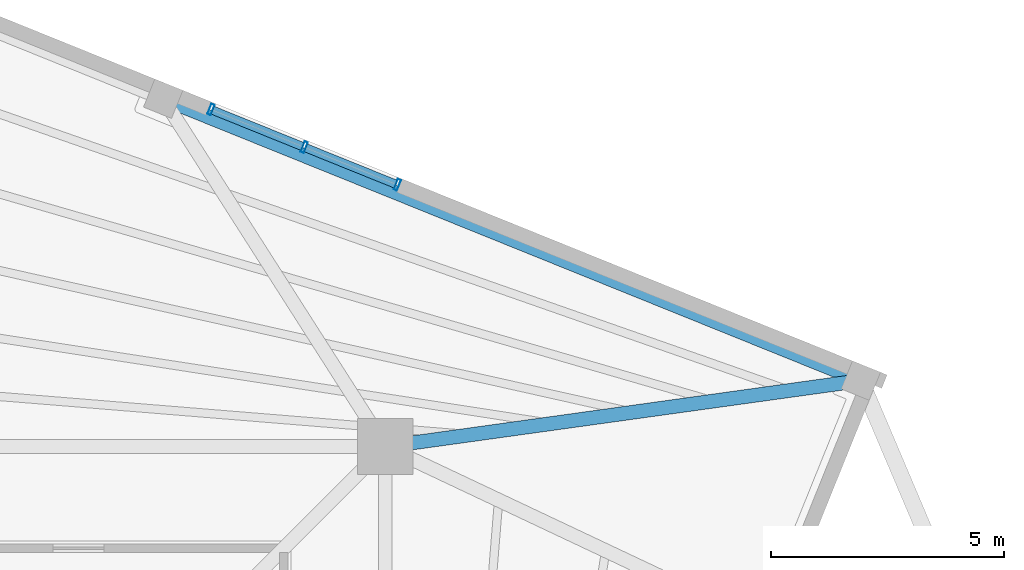
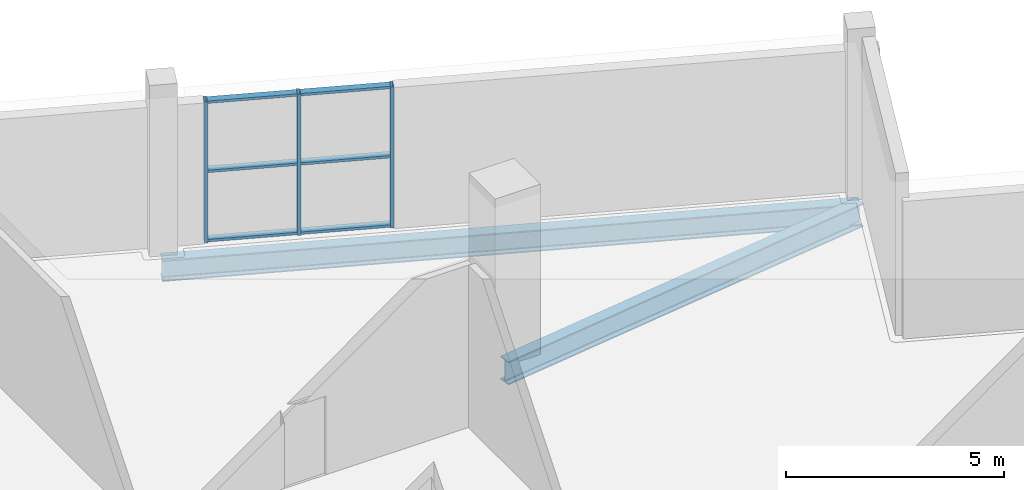
# One storey, part 6 of 12: 9 members, 2 beams, 1 element without a shape of its own.
"""IFC4 building model written with IfcOpenShell, lengths in metres."""

from ifc_helpers import new_model, si_unit, direction, frame, origin, origin_2d, place, context, subcontext, project, spatial, hollow_rectangle, i_section, extrude, source, transform, mapped, material, layer, layer_set, material_profile, profile_set, type_object, element, aggregate, save


model = new_model("IFC4")

# Units and contexts
model_context = context("Model", 3, precision=1e-05, world=origin(), true_north=direction((0.0, 1.0)))
body_context = subcontext(model_context, "Body", "Model", "MODEL_VIEW")
ifc_project = project(units=[si_unit("LENGTHUNIT", "METRE"), si_unit("AREAUNIT", "SQUARE_METRE"), si_unit("VOLUMEUNIT", "CUBIC_METRE"), si_unit("PLANEANGLEUNIT", "RADIAN"), si_unit("MASSUNIT", "GRAM", prefix="KILO"), si_unit("THERMODYNAMICTEMPERATUREUNIT", "KELVIN")], contexts=[model_context])

# Site, building, storey
site_placement = place(None, origin())
site = spatial("IfcSite", under=ifc_project, at=site_placement, CompositionType="ELEMENT")
building_placement = place(site_placement, origin())
building = spatial("IfcBuilding", under=site, at=building_placement, Name="Kosmvard Interchange Tower", CompositionType="ELEMENT")
storey_placement = place(building_placement, frame((0.0, 0.0, 312.0)))
storey = spatial("IfcBuildingStorey", under=building, at=storey_placement, Name="L77", CompositionType="ELEMENT", Elevation=312.0)

# Beams
ifc_material_1 = material(Name="Steel S355", Category="steel")
ifc_material_profile_1 = material_profile(ifc_material_1, i_section(OverallWidth=0.300048828125, OverallDepth=0.60009765625, WebThickness=0.015380859375, FlangeThickness=0.030029296875, FilletRadius=0.027099609375, at=origin_2d()), Name="HEB 600")
ifc_profile_set_1 = profile_set([ifc_material_profile_1], Name="Steel S355")
beam_type_1 = type_object("IfcBeamType", Name="Perimeter Tie Girder HEB 600 S355", PredefinedType="BEAM", material=ifc_profile_set_1)
shared_shape_1 = source(origin(), body_context, "Body", "SweptSolid", [
    extrude(i_section(OverallWidth=0.300048828125, OverallDepth=0.60009765625, WebThickness=0.015380859375, FlangeThickness=0.030029296875, FilletRadius=0.027099609375, at=origin_2d()), origin(), (0.0, 0.0, 1.0), 16.175048828125),
])
beam_1_placement = place(storey_placement, frame((23.30419921875, 14.5009765625, -0.550048828125), z_axis=(-0.927183472009, 0.374607540279, 0.0), x_axis=(-0.374607540279, -0.927183472009, 0.0)))
element("IfcBeam", 1, at=beam_1_placement, inside=storey, type_object=beam_type_1, Name="BM-L77-PR04", PredefinedType="BEAM", context=body_context, shape_type="MappedRepresentation", body=[
    mapped(shared_shape_1, transform((0.0, 0.0, 0.0), scale=1.0)),
])
ifc_material_profile_2 = material_profile(ifc_material_1, i_section(OverallWidth=0.300048828125, OverallDepth=0.64990234375, WebThickness=0.01611328125, FlangeThickness=0.031005859375, FilletRadius=0.027099609375, at=origin_2d()), Name="HEB 650")
ifc_profile_set_2 = profile_set([ifc_material_profile_2], Name="Steel S355")
beam_type_2 = type_object("IfcBeamType", Name="Primary Floor Girder HEB 650 S355", PredefinedType="BEAM", material=ifc_profile_set_2)
shared_shape_2 = source(origin(), body_context, "Body", "SweptSolid", [
    extrude(i_section(OverallWidth=0.300048828125, OverallDepth=0.64990234375, WebThickness=0.01611328125, FlangeThickness=0.031005859375, FilletRadius=0.027099609375, at=origin_2d()), origin(), (0.0, 0.0, 1.0), 10.3212890625),
])
beam_2_placement = place(storey_placement, frame((13.0810546875, 13.0810546875, -0.574951171875), z_axis=(0.990491735984, 0.137572239014, 0.0), x_axis=(-0.137572239014, 0.990491735984, 0.0)))
element("IfcBeam", 2, at=beam_2_placement, inside=storey, type_object=beam_type_2, Name="BM-L77-RD04", PredefinedType="BEAM", context=body_context, shape_type="MappedRepresentation", body=[
    mapped(shared_shape_2, transform((0.0, 0.0, 0.0), scale=1.0)),
])

# Curtain wall, members
ifc_material_2 = material(Name="Architectural anodised aluminium", Category="aluminium")
ifc_layer = layer(ifc_material_2, 0.239990234375, Name="Architectural anodised aluminium")
ifc_layer_set = layer_set([ifc_layer], Name="Architectural anodised aluminium")
curtain_wall_type = type_object("IfcCurtainWallType", Name="CW-5 Public Observation Panorama Curtain Wall", PredefinedType="NOTDEFINED", material=ifc_layer_set)
curtain_wall_placement = place(storey_placement, origin())
curtain_wall = element("IfcCurtainWall", 3, at=curtain_wall_placement, inside=storey, type_object=curtain_wall_type, Name="L77 Observation Panorama Curtain Wall E", PredefinedType="NOTDEFINED")
ifc_material_profile_3 = material_profile(ifc_material_2, hollow_rectangle(XDim=0.239990234375, YDim=0.080078125, WallThickness=0.006103515625, at=origin_2d()), Name="CWM 240x80x6")
ifc_profile_set_3 = profile_set([ifc_material_profile_3], Name="Architectural anodised aluminium")
member_type_1 = type_object("IfcMemberType", Name="Lantern & Observation CW Mullion 240x80 Aluminium", PredefinedType="MULLION", material=ifc_profile_set_3)
shared_shape_3 = source(origin(), body_context, "Body", "SweptSolid", [
    extrude(hollow_rectangle(XDim=0.239990234375, YDim=0.080078125, WallThickness=0.006103515625, at=origin_2d()), origin(), (0.0, 0.0, 1.0), 3.949951171875),
])
member_1_placement = place(storey_placement, frame((13.34033203125, 18.7099609375, 0.0), z_axis=(0.0, 0.0, 1.0), x_axis=(-0.374606588108, -0.927183856711, 0.0)))
member_1 = element("IfcMember", 4, at=member_1_placement, type_object=member_type_1, Name="CW-5 mullion 1", PredefinedType="MULLION", context=body_context, shape_type="MappedRepresentation", body=[
    mapped(shared_shape_3, transform((0.0, 0.0, 0.0), scale=1.0)),
])
member_2_placement = place(storey_placement, frame((11.337646484375, 19.519287109375, 0.0), z_axis=(0.0, 0.0, 1.0), x_axis=(-0.374606588108, -0.927183856711, 0.0)))
member_2 = element("IfcMember", 5, at=member_2_placement, type_object=member_type_1, Name="CW-5 mullion 2", PredefinedType="MULLION", context=body_context, shape_type="MappedRepresentation", body=[
    mapped(shared_shape_3, transform((0.0, 0.0, 0.0), scale=1.0)),
])
member_3_placement = place(storey_placement, frame((9.3349609375, 20.328369140625, 0.0), z_axis=(0.0, 0.0, 1.0), x_axis=(-0.374606588108, -0.927183856711, 0.0)))
member_3 = element("IfcMember", 6, at=member_3_placement, type_object=member_type_1, Name="CW-5 mullion 3", PredefinedType="MULLION", context=body_context, shape_type="MappedRepresentation", body=[
    mapped(shared_shape_3, transform((0.0, 0.0, 0.0), scale=1.0)),
])
ifc_material_profile_4 = material_profile(ifc_material_2, hollow_rectangle(XDim=0.179931640625, YDim=0.070068359375, WallThickness=0.0048828125, at=origin_2d()), Name="CWT 180x70x5")
ifc_profile_set_4 = profile_set([ifc_material_profile_4], Name="Architectural anodised aluminium")
member_type_2 = type_object("IfcMemberType", Name="Heavy Lantern CW Transom 180x70 Aluminium", PredefinedType="USERDEFINED", material=ifc_profile_set_4)
shared_shape_4 = source(origin(), body_context, "Body", "SweptSolid", [
    extrude(hollow_rectangle(XDim=0.179931640625, YDim=0.070068359375, WallThickness=0.0048828125, at=origin_2d()), origin(), (0.0, 0.0, 1.0), 2.079833984375),
])
member_4_placement = place(storey_placement, frame((13.30322265625, 18.72509765625, 0.034912109375), z_axis=(-0.927200290497, 0.374565910492, 0.0), x_axis=(-0.374565910492, -0.927200290497, 0.0)))
member_4 = element("IfcMember", 7, at=member_4_placement, type_object=member_type_2, Name="CW-5 transom 1.1", ObjectType="TRANSOM", PredefinedType="USERDEFINED", context=body_context, shape_type="MappedRepresentation", body=[
    mapped(shared_shape_4, transform((0.0, 0.0, 0.0), scale=1.0)),
])
member_5_placement = place(storey_placement, frame((13.30322265625, 18.72509765625, 1.97509765625), z_axis=(-0.927200290497, 0.374565910492, 0.0), x_axis=(-0.374565910492, -0.927200290497, 0.0)))
member_5 = element("IfcMember", 8, at=member_5_placement, type_object=member_type_2, Name="CW-5 transom 1.2", ObjectType="TRANSOM", PredefinedType="USERDEFINED", context=body_context, shape_type="MappedRepresentation", body=[
    mapped(shared_shape_4, transform((0.0, 0.0, 0.0), scale=1.0)),
])
member_6_placement = place(storey_placement, frame((13.30322265625, 18.72509765625, 3.9150390625), z_axis=(-0.927200290497, 0.374565910492, 0.0), x_axis=(-0.374565910492, -0.927200290497, 0.0)))
member_6 = element("IfcMember", 9, at=member_6_placement, type_object=member_type_2, Name="CW-5 transom 1.3", ObjectType="TRANSOM", PredefinedType="USERDEFINED", context=body_context, shape_type="MappedRepresentation", body=[
    mapped(shared_shape_4, transform((0.0, 0.0, 0.0), scale=1.0)),
])
shared_shape_5 = source(origin(), body_context, "Body", "SweptSolid", [
    extrude(hollow_rectangle(XDim=0.179931640625, YDim=0.070068359375, WallThickness=0.0048828125, at=origin_2d()), origin(), (0.0, 0.0, 1.0), 2.080078125),
])
member_7_placement = place(storey_placement, frame((11.300537109375, 19.5341796875, 0.034912109375), z_axis=(-0.927216756456, 0.374525148083, 0.0), x_axis=(-0.374525148083, -0.927216756456, 0.0)))
member_7 = element("IfcMember", 10, at=member_7_placement, type_object=member_type_2, Name="CW-5 transom 2.1", ObjectType="TRANSOM", PredefinedType="USERDEFINED", context=body_context, shape_type="MappedRepresentation", body=[
    mapped(shared_shape_5, transform((0.0, 0.0, 0.0), scale=1.0)),
])
member_8_placement = place(storey_placement, frame((11.300537109375, 19.5341796875, 1.97509765625), z_axis=(-0.927216756456, 0.374525148083, 0.0), x_axis=(-0.374525148083, -0.927216756456, 0.0)))
member_8 = element("IfcMember", 11, at=member_8_placement, type_object=member_type_2, Name="CW-5 transom 2.2", ObjectType="TRANSOM", PredefinedType="USERDEFINED", context=body_context, shape_type="MappedRepresentation", body=[
    mapped(shared_shape_5, transform((0.0, 0.0, 0.0), scale=1.0)),
])
member_9_placement = place(storey_placement, frame((11.300537109375, 19.5341796875, 3.9150390625), z_axis=(-0.927216756456, 0.374525148083, 0.0), x_axis=(-0.374525148083, -0.927216756456, 0.0)))
member_9 = element("IfcMember", 12, at=member_9_placement, type_object=member_type_2, Name="CW-5 transom 2.3", ObjectType="TRANSOM", PredefinedType="USERDEFINED", context=body_context, shape_type="MappedRepresentation", body=[
    mapped(shared_shape_5, transform((0.0, 0.0, 0.0), scale=1.0)),
])
aggregate(curtain_wall, [member_1, member_2, member_3, member_4, member_5, member_6, member_7, member_8, member_9])

save(model, "model.ifc")
